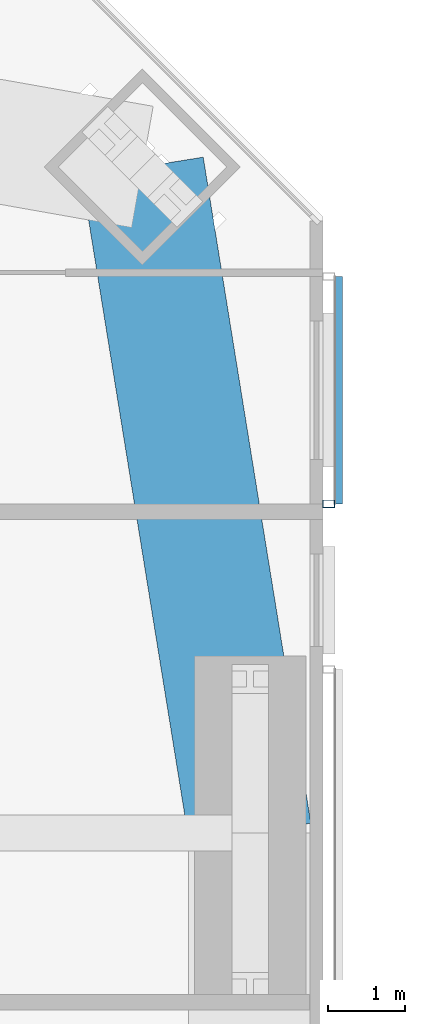
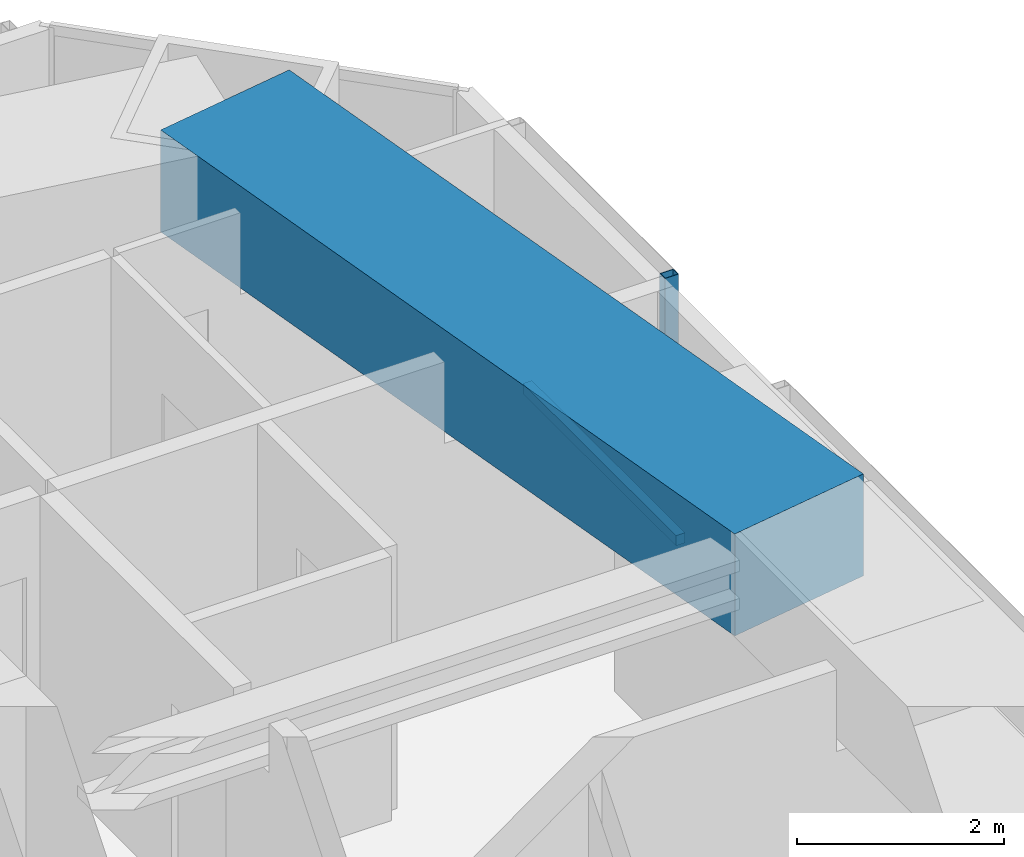
# One storey, part 9 of 23: 2 members, 1 beam, 1 element without a shape of its own.
"""IFC4 building model written with IfcOpenShell, lengths in metres."""

import ifcopenshell
import ifcopenshell.guid

model = None  # the IFC model being written
_history = None  # IfcOwnerHistory: only IFC2X3 demands one
_inside = {}  # id of a spatial element -> (the spatial element, [elements in it])
_under = {}  # id of a project, library or spatial element -> (it, [spatial elements below it])
_declared = {}  # id of a project -> (the project, [libraries it declares])
_typed = {}  # id of a type object -> (the type object, [elements of that type])
_made_of = {}  # id of a material, layer set ... -> (it, [elements and type objects made of it])


def new_model(schema):
    """Start an empty IFC model of exactly this schema.

    Asked for "IFC4X3", IfcOpenShell would pick the latest addendum, in which some entities
    have other attributes; the version numbers below select the first issue.
    IFC2X3 requires an IfcOwnerHistory on every rooted entity: one is made here for all.
    """
    global model, _history
    if schema == "IFC4X3":
        model = ifcopenshell.file(schema_version=(4, 3, 0, 0))
    else:
        model = ifcopenshell.file(schema=schema)
    _inside.clear()
    _under.clear()
    _declared.clear()
    _typed.clear()
    _made_of.clear()
    _history = None
    if model.schema == "IFC2X3":
        org = make("IfcOrganization", Name="unknown")
        user = make(
            "IfcPersonAndOrganization",
            ThePerson=make("IfcPerson", FamilyName="unknown"),
            TheOrganization=org,
        )
        app = make(
            "IfcApplication",
            ApplicationDeveloper=org,
            Version="unknown",
            ApplicationFullName="unknown",
            ApplicationIdentifier="unknown",
        )
        _history = make(
            "IfcOwnerHistory",
            OwningUser=user,
            OwningApplication=app,
            ChangeAction="ADDED",
            CreationDate=0,
        )
    return model


def make(cls, **values):
    """One entity of the class cls with the attributes given. An attribute that is None is left unset."""
    return model.create_entity(
        cls, **{name: value for name, value in values.items() if value is not None}
    )


def rooted(cls, **values):
    """An entity with a GlobalId (a new one), such as an element, a storey or a relation."""
    return make(cls, GlobalId=ifcopenshell.guid.new(), OwnerHistory=_history, **values)


def si_unit(unit_type, name, prefix=None):
    """IfcSIUnit, for example si_unit("LENGTHUNIT", "METRE", prefix="MILLI")."""
    return make("IfcSIUnit", UnitType=unit_type, Prefix=prefix, Name=name)


def assignment(units):
    """IfcUnitAssignment: the units of a project."""
    return None if units is None else make("IfcUnitAssignment", Units=units)


def point(xyz):
    """IfcCartesianPoint."""
    return None if xyz is None else make("IfcCartesianPoint", Coordinates=xyz)


def direction(xyz):
    """IfcDirection."""
    return None if xyz is None else make("IfcDirection", DirectionRatios=xyz)


def frame(location, z_axis=None, x_axis=None):
    """IfcAxis2Placement3D, a coordinate frame: its origin and axes. An axis left out is left unset."""
    return make(
        "IfcAxis2Placement3D",
        Location=point(location),
        Axis=direction(z_axis),
        RefDirection=direction(x_axis),
    )


def frame_2d(location, x_axis=None):
    """IfcAxis2Placement2D, a coordinate frame in the plane: its origin and x axis."""
    return make(
        "IfcAxis2Placement2D", Location=point(location), RefDirection=direction(x_axis)
    )


def origin():
    """The frame at (0, 0, 0) with its axes left unset."""
    return frame((0.0, 0.0, 0.0))


def origin_2d():
    """The frame at (0, 0) in the plane with its x axis left unset."""
    return frame_2d((0.0, 0.0))


def place(relative_to, where):
    """IfcLocalPlacement: puts the frame where relative to a parent placement (None: the world)."""
    return make(
        "IfcLocalPlacement", PlacementRelTo=relative_to, RelativePlacement=where
    )


def context(
    kind, dimensions, precision=None, world=None, true_north=None, identifier=None
):
    """IfcGeometricRepresentationContext, for example the 3D "Model" context."""
    return make(
        "IfcGeometricRepresentationContext",
        ContextIdentifier=identifier,
        ContextType=kind,
        CoordinateSpaceDimension=dimensions,
        Precision=precision,
        WorldCoordinateSystem=world,
        TrueNorth=true_north,
    )


def subcontext(parent, identifier, kind, view, scale=None):
    """IfcGeometricRepresentationSubContext, for example "Body" below "Model"."""
    return make(
        "IfcGeometricRepresentationSubContext",
        ContextIdentifier=identifier,
        ContextType=kind,
        ParentContext=parent,
        TargetScale=scale,
        TargetView=view,
    )


def project(units=None, contexts=None):
    """IfcProject with its units and contexts."""
    return rooted(
        "IfcProject",
        Name="project",
        RepresentationContexts=contexts,
        UnitsInContext=assignment(units),
    )


def spatial(cls, under=None, at=None, **own):
    """A site, building, storey or space (cls), placed at a placement, below another one or the project."""
    s = rooted(cls, ObjectPlacement=at, **own)
    if under is not None:
        _under.setdefault(under.id(), (under, []))[1].append(s)
    return s


def profile(cls, at=None, kind="AREA", **sizes):
    """A parametric profile (cls). Its sizes go by their IFC names, for example OverallWidth=200.0."""
    return make(cls, ProfileType=kind, Position=at, **sizes)


def rectangle(**sizes):
    """IfcRectangleProfileDef."""
    return profile("IfcRectangleProfileDef", **sizes)


def hollow_rectangle(**sizes):
    """IfcRectangleHollowProfileDef."""
    return profile("IfcRectangleHollowProfileDef", **sizes)


def extrude(swept, where, along, depth):
    """IfcExtrudedAreaSolid: the profile swept, set in the frame where, extruded along a direction by depth."""
    return make(
        "IfcExtrudedAreaSolid",
        SweptArea=swept,
        Position=where,
        ExtrudedDirection=direction(along),
        Depth=depth,
    )


def shape(context_of_items, identifier, shape_type, items):
    """IfcShapeRepresentation: the items that make up one representation, for example the "Body"."""
    return make(
        "IfcShapeRepresentation",
        ContextOfItems=context_of_items,
        RepresentationIdentifier=identifier,
        RepresentationType=shape_type,
        Items=items,
    )


def material(Name=None, Category=None):
    """IfcMaterial."""
    return make("IfcMaterial", Name=Name, Category=Category)


def material_profile(
    of_material, cross_section, Name=None, Category=None, Priority=None
):
    """IfcMaterialProfile: a cross section and its material."""
    return make(
        "IfcMaterialProfile",
        Name=Name,
        Material=of_material,
        Profile=cross_section,
        Priority=Priority,
        Category=Category,
    )


def profile_set(profiles, Name=None, composite=None):
    """IfcMaterialProfileSet."""
    return make(
        "IfcMaterialProfileSet",
        Name=Name,
        MaterialProfiles=profiles,
        CompositeProfile=composite,
    )


def made_of(thing, what):
    """Note that an element or type object is made of a material, layer set ...; save() writes the relation."""
    if what is not None:
        _made_of.setdefault(what.id(), (what, []))[1].append(thing)
    return thing


def type_object(cls, material=None, **own):
    """A type object (cls), such as IfcWallType, which elements share."""
    return made_of(rooted(cls, **own), material)


def element(
    cls,
    number,
    at=None,
    inside=None,
    cuts=None,
    type_object=None,
    material=None,
    context=None,
    identifier="Body",
    shape_type=None,
    held_by="IfcProductDefinitionShape",
    body=None,
    shapes=None,
    **own,
):
    """One element of the class cls, such as IfcWall. Its Tag is "e" and its number.

    at: its placement. inside: the storey or other place that contains it. cuts: it is an
    opening in that element (IfcRelVoidsElement). A single representation is given by context,
    identifier, shape_type and body (its items); several are given by shapes. held_by: the class
    of the entity that holds the representations. save() writes the other relations.
    """
    e = rooted(cls, Tag="e%d" % number, ObjectPlacement=at, **own)
    if body is not None:
        shapes = [shape(context, identifier, shape_type, body)]
    if shapes is not None:
        e.Representation = make(held_by, Representations=shapes)
    if inside is not None:
        _inside.setdefault(inside.id(), (inside, []))[1].append(e)
    if cuts is not None:
        rooted(
            "IfcRelVoidsElement", RelatingBuildingElement=cuts, RelatedOpeningElement=e
        )
    if type_object is not None:
        _typed.setdefault(type_object.id(), (type_object, []))[1].append(e)
    return made_of(e, material)


def aggregate(whole, parts):
    """IfcRelAggregates: a whole, such as a stair, and the parts it consists of."""
    return rooted("IfcRelAggregates", RelatingObject=whole, RelatedObjects=parts)


def save(model, path):
    """Write the relations noted so far, then the file.

    IfcRelAggregates (storeys below a building ...), IfcRelContainedInSpatialStructure (elements
    in a storey), IfcRelDefinesByType, IfcRelAssociatesMaterial and IfcRelDeclares: one each for
    every whole, place, type object, material and project.
    """
    for whole, parts in _under.values():
        aggregate(whole, parts)
    for where, things in _inside.values():
        rooted(
            "IfcRelContainedInSpatialStructure",
            RelatedElements=things,
            RelatingStructure=where,
        )
    for kind, things in _typed.values():
        rooted("IfcRelDefinesByType", RelatedObjects=things, RelatingType=kind)
    for what, things in _made_of.values():
        rooted("IfcRelAssociatesMaterial", RelatedObjects=things, RelatingMaterial=what)
    for by, libraries in _declared.values():
        rooted("IfcRelDeclares", RelatingContext=by, RelatedDefinitions=libraries)
    model.write(path)


model = new_model("IFC4")

# Units and contexts
model_context = context("Model", 3, precision=1e-05, world=origin(), true_north=direction((0.0, 1.0)))
body_context = subcontext(model_context, "Body", "Model", "MODEL_VIEW")
ifc_project = project(units=[si_unit("LENGTHUNIT", "METRE"), si_unit("AREAUNIT", "SQUARE_METRE"), si_unit("VOLUMEUNIT", "CUBIC_METRE"), si_unit("PLANEANGLEUNIT", "RADIAN"), si_unit("MASSUNIT", "GRAM", prefix="KILO")], contexts=[model_context])

# Site, building, storey
site_placement = place(None, origin())
site = spatial("IfcSite", under=ifc_project, at=site_placement, CompositionType="ELEMENT")
building_placement = place(site_placement, origin())
building = spatial("IfcBuilding", under=site, at=building_placement, Name="Jalousie Tower", CompositionType="ELEMENT")
storey_placement = place(building_placement, frame((0.0, 0.0, 157.699951171875)))
storey = spatial("IfcBuildingStorey", under=building, at=storey_placement, Name="L42", CompositionType="ELEMENT", Elevation=157.699951171875)

# Beam
ifc_material_1 = material(Name="Concrete f'c 40 MPa", Category="concrete")
ifc_material_profile_1 = material_profile(ifc_material_1, rectangle(XDim=1.60009765625, YDim=1.199951171875, at=origin_2d()), Name="RC 1600x1200")
ifc_profile_set_1 = profile_set([ifc_material_profile_1], Name="Concrete f'c 40 MPa")
beam_type = type_object("IfcBeamType", Name="RC BEAM 1600x1200", PredefinedType="BEAM", material=ifc_profile_set_1)
beam_placement = place(storey_placement, frame((52.050048828125, 25.0, 2.75), z_axis=(-0.159567878256, 0.987186959106, 0.0), x_axis=(-0.987186959106, -0.159567878256, 0.0)))
element("IfcBeam", 1, at=beam_placement, inside=storey, type_object=beam_type, Name="Edge band beam 07-08 under L43", PredefinedType="BEAM", context=body_context, shape_type="SweptSolid", body=[
    extrude(rectangle(XDim=1.60009765625, YDim=1.199951171875, at=origin_2d()), origin(), (0.0, 0.0, 1.0), 8.763916015625),
])

# Curtain wall, members
ifc_material_2 = material(Name="Perforated aluminium sheet", Category="aluminium")
curtain_wall_type = type_object("IfcCurtainWallType", Name="SOLAR SCREEN SS-1", PredefinedType="USERDEFINED", material=ifc_material_2)
curtain_wall_placement = place(storey_placement, origin())
curtain_wall = element("IfcCurtainWall", 2, at=curtain_wall_placement, inside=storey, type_object=curtain_wall_type, Name="Solar screen L42", ObjectType="SOLAR SCREEN SS-1", PredefinedType="USERDEFINED")
ifc_material_3 = material(Name="Steel ASTM A500 Grade C", Category="steel")
ifc_material_profile_2 = material_profile(ifc_material_3, hollow_rectangle(XDim=0.1015625, YDim=0.15234375, WallThickness=0.00634765625, at=origin_2d()), Name="HSS6X4X1/4")
ifc_profile_set_2 = profile_set([ifc_material_profile_2], Name="Steel ASTM A500 Grade C")
member_type_1 = type_object("IfcMemberType", Name="SOLAR SCREEN SS-1 MULLION", PredefinedType="MULLION", material=ifc_profile_set_2)
member_1_placement = place(storey_placement, frame((53.0712890625, 29.27490234375, -0.119873046875), z_axis=(0.0, 0.0, 1.0), x_axis=(0.0, 1.0, 0.0)))
member_1 = element("IfcMember", 3, at=member_1_placement, type_object=member_type_1, Name="SS1 post 1", PredefinedType="MULLION", context=body_context, shape_type="SweptSolid", body=[
    extrude(hollow_rectangle(XDim=0.1015625, YDim=0.15234375, WallThickness=0.00634765625, at=origin_2d()), origin(), (0.0, 0.0, 1.0), 3.22998046875),
])
ifc_material_4 = material(Name="Extruded aluminium screen rail", Category="aluminium")
ifc_material_profile_3 = material_profile(ifc_material_4, rectangle(XDim=0.1015625, YDim=0.1201171875, at=origin_2d()), Name="RAIL 102x120")
ifc_profile_set_3 = profile_set([ifc_material_profile_3], Name="Extruded aluminium screen rail")
member_type_2 = type_object("IfcMemberType", Name="SOLAR SCREEN SS-1 TRANSOM", PredefinedType="USERDEFINED", material=ifc_profile_set_3)
member_2_placement = place(storey_placement, frame((53.1982421875, 29.27490234375, -0.06005859375), z_axis=(0.0, 1.0, 0.0), x_axis=(-1.0, 0.0, 0.0)))
member_2 = element("IfcMember", 4, at=member_2_placement, type_object=member_type_2, Name="SS1 rail", ObjectType="TRANSOM", PredefinedType="USERDEFINED", context=body_context, shape_type="SweptSolid", body=[
    extrude(rectangle(XDim=0.1015625, YDim=0.1201171875, at=origin_2d()), origin(), (0.0, 0.0, 1.0), 2.953857421875),
])
aggregate(curtain_wall, [member_1, member_2])

save(model, "model.ifc")
